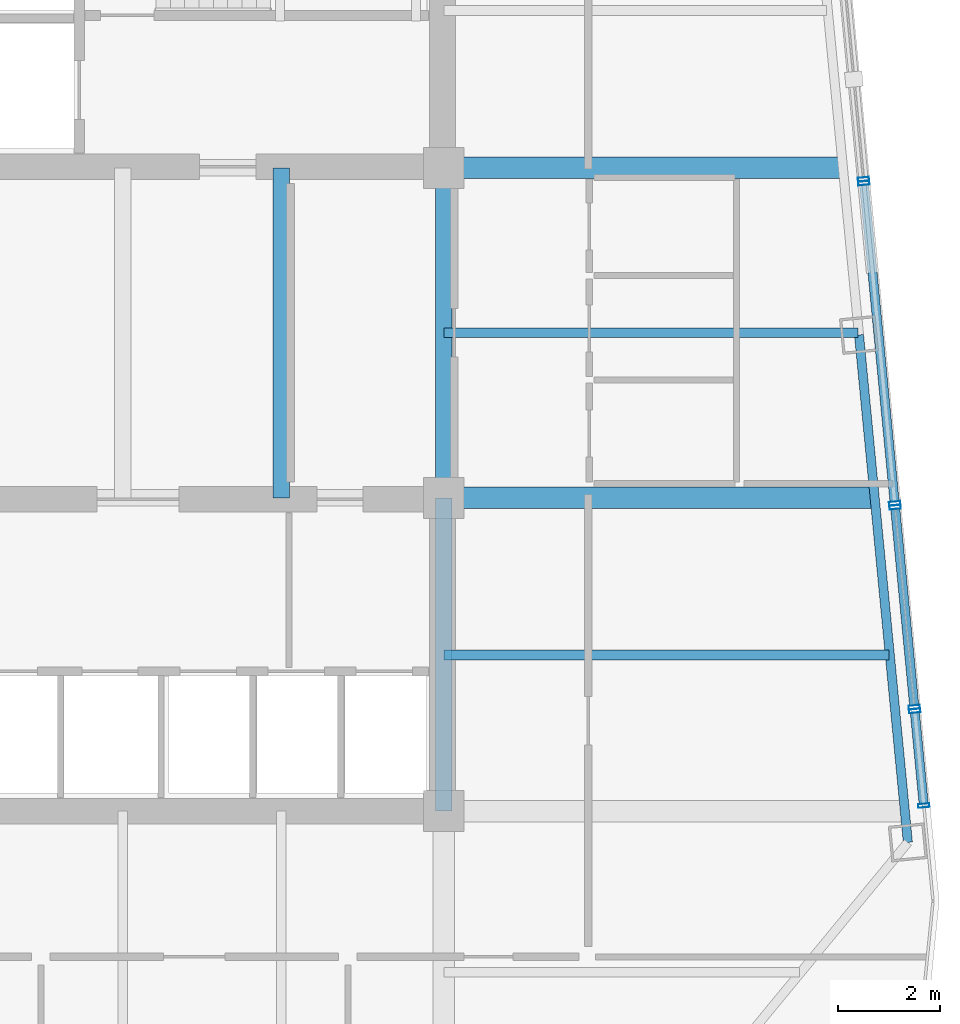
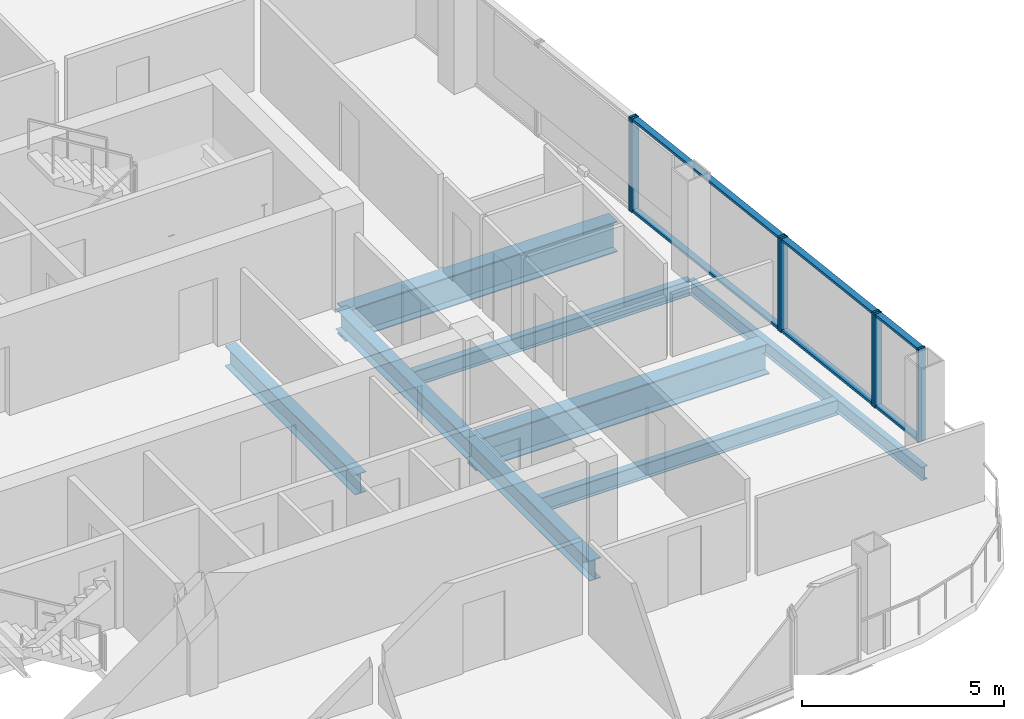
# One storey, part 10 of 22: 13 members, 8 beams, 4 elements without a shape of their own.
"""IFC4 building model written with IfcOpenShell, lengths in metres."""

from ifc_helpers import new_model, si_unit, direction, frame, origin, origin_2d, place, context, subcontext, project, spatial, hollow_rectangle, i_section, extrude, material, layer, layer_set, material_profile, profile_set, type_object, element, aggregate, save


model = new_model("IFC4")

# Units and contexts
model_context = context("Model", 3, precision=1e-05, world=origin(), true_north=direction((0.0, 1.0)))
body_context = subcontext(model_context, "Body", "Model", "MODEL_VIEW")
ifc_project = project(units=[si_unit("LENGTHUNIT", "METRE"), si_unit("AREAUNIT", "SQUARE_METRE"), si_unit("VOLUMEUNIT", "CUBIC_METRE"), si_unit("PLANEANGLEUNIT", "RADIAN"), si_unit("MASSUNIT", "GRAM", prefix="KILO")], contexts=[model_context])

# Site, building, storey
site_placement = place(None, origin())
site = spatial("IfcSite", under=ifc_project, at=site_placement, CompositionType="ELEMENT")
building_placement = place(site_placement, origin())
building = spatial("IfcBuilding", under=site, at=building_placement, Name="Qhalaya Broadcast Tower", CompositionType="ELEMENT")
storey_placement = place(building_placement, frame((0.0, 0.0, 174.449951171875)))
storey = spatial("IfcBuildingStorey", under=building, at=storey_placement, Name="L51", CompositionType="ELEMENT", Elevation=174.449951171875)

# Beams
ifc_material_1 = material(Name="Structural Steel ASTM A992 Grade 50", Category="steel")
ifc_material_profile_1 = material_profile(ifc_material_1, i_section(OverallWidth=0.19189453125, OverallDepth=0.462890625, WebThickness=0.010498046875, FlangeThickness=0.017578125, at=origin_2d()), Name="W18X60")
ifc_profile_set_1 = profile_set([ifc_material_profile_1], Name="Structural Steel ASTM A992 Grade 50")
beam_type_1 = type_object("IfcBeamType", Name="Composite Floor Joist J03", PredefinedType="JOIST", material=ifc_profile_set_1)
beam_1_placement = place(storey_placement, frame((9.375, -5.699951171875, -0.451416015625), z_axis=(1.0, 0.0, 0.0), x_axis=(0.0, 1.0, 0.0)))
element("IfcBeam", 1, at=beam_1_placement, inside=storey, type_object=beam_type_1, Name="L51 J03 L51-JWE3E-1", PredefinedType="JOIST", context=body_context, shape_type="SweptSolid", body=[
    extrude(i_section(OverallWidth=0.19189453125, OverallDepth=0.462890625, WebThickness=0.010498046875, FlangeThickness=0.017578125, at=origin_2d()), origin(), (0.0, 0.0, 1.0), 8.7001953125),
])
beam_2_placement = place(storey_placement, frame((9.375, 0.60009765625, -0.451416015625), z_axis=(1.0, 0.0, 0.0), x_axis=(0.0, 1.0, 0.0)))
element("IfcBeam", 2, at=beam_2_placement, inside=storey, type_object=beam_type_1, Name="L51 J03 L51-JWE4E-1", PredefinedType="JOIST", context=body_context, shape_type="SweptSolid", body=[
    extrude(i_section(OverallWidth=0.19189453125, OverallDepth=0.462890625, WebThickness=0.010498046875, FlangeThickness=0.017578125, at=origin_2d()), origin(), (0.0, 0.0, 1.0), 8.093505859375),
])
ifc_material_profile_2 = material_profile(ifc_material_1, i_section(OverallWidth=0.323974609375, OverallDepth=0.612060546875, WebThickness=0.0126953125, FlangeThickness=0.01904296875, at=origin_2d()), Name="W24X104")
ifc_profile_set_2 = profile_set([ifc_material_profile_2], Name="Structural Steel ASTM A992 Grade 50")
beam_type_2 = type_object("IfcBeamType", Name="Core Frame Tie Beam B04", PredefinedType="BEAM", material=ifc_profile_set_2)
beam_3_placement = place(storey_placement, frame((9.375, -8.75, -0.52587890625), z_axis=(0.0, 1.0, 0.0), x_axis=(-1.0, 0.0, 0.0)))
element("IfcBeam", 3, at=beam_3_placement, inside=storey, type_object=beam_type_2, Name="L51 B04 L51-CCS2", PredefinedType="BEAM", context=body_context, shape_type="SweptSolid", body=[
    extrude(i_section(OverallWidth=0.323974609375, OverallDepth=0.612060546875, WebThickness=0.0126953125, FlangeThickness=0.01904296875, at=origin_2d()), origin(), (0.0, 0.0, 1.0), 6.125),
])
for number, where, z_axis, x_axis, name in (
    (4, (9.375, -2.625, -0.52587890625), (0.0, 1.0, 0.0), (-1.0, 0.0, 0.0), "L51 B04 L51-CCE"),
    (5, (6.199951171875, -2.625, -0.52587890625), (0.0, 1.0, 0.0), (-1.0, 0.0, 0.0), "L51 B04 L51-JC5-1"),
):
    element("IfcBeam", number, at=place(storey_placement, frame(where, z_axis=z_axis, x_axis=x_axis)), inside=storey, type_object=beam_type_2, Name=name, PredefinedType="BEAM", context=body_context, shape_type="SweptSolid", body=[
        extrude(i_section(OverallWidth=0.323974609375, OverallDepth=0.612060546875, WebThickness=0.0126953125, FlangeThickness=0.01904296875, at=origin_2d()), origin(), (0.0, 0.0, 1.0), 6.449951171875),
    ])
ifc_material_profile_3 = material_profile(ifc_material_1, i_section(OverallWidth=0.4189453125, OverallDepth=0.927001953125, WebThickness=0.019287109375, FlangeThickness=0.031982421875, at=origin_2d()), Name="W36X231")
ifc_profile_set_3 = profile_set([ifc_material_profile_3], Name="Structural Steel ASTM A992 Grade 50")
beam_type_3 = type_object("IfcBeamType", Name="Mid Block Primary Girder PG3", PredefinedType="USERDEFINED", material=ifc_profile_set_3)
beam_4_placement = place(storey_placement, frame((9.375, -2.625, -0.683349609375), z_axis=(1.0, 0.0, 0.0), x_axis=(0.0, 1.0, 0.0)))
element("IfcBeam", 6, at=beam_4_placement, inside=storey, type_object=beam_type_3, Name="L51 PG3 L51-PGYE2-1", ObjectType="GIRDER", PredefinedType="USERDEFINED", context=body_context, shape_type="SweptSolid", body=[
    extrude(i_section(OverallWidth=0.4189453125, OverallDepth=0.927001953125, WebThickness=0.019287109375, FlangeThickness=0.031982421875, at=origin_2d()), origin(), (0.0, 0.0, 1.0), 8.404052734375),
])
beam_5_placement = place(storey_placement, frame((9.375, 3.824951171875, -0.683349609375), z_axis=(1.0, 0.0, 0.0), x_axis=(0.0, 1.0, 0.0)))
element("IfcBeam", 7, at=beam_5_placement, inside=storey, type_object=beam_type_3, Name="L51 PG3 L51-PGYE3-1", ObjectType="GIRDER", PredefinedType="USERDEFINED", context=body_context, shape_type="SweptSolid", body=[
    extrude(i_section(OverallWidth=0.4189453125, OverallDepth=0.927001953125, WebThickness=0.019287109375, FlangeThickness=0.031982421875, at=origin_2d()), origin(), (0.0, 0.0, 1.0), 7.782958984375),
])

# Curtain wall, members
ifc_material_2 = material(Name="Fired Architectural Terracotta", Category="masonry")
ifc_layer_1 = layer(ifc_material_2, 0.219970703125, Name="Fired Architectural Terracotta")
ifc_layer_set_1 = layer_set([ifc_layer_1], Name="Fired Architectural Terracotta")
curtain_wall_type_1 = type_object("IfcCurtainWallType", Name="Block-Cap Unitised Terracotta Spandrel Wall CW-07", PredefinedType="NOTDEFINED", material=ifc_layer_set_1)
curtain_wall_1_placement = place(storey_placement, origin())
curtain_wall_1 = element("IfcCurtainWall", 8, at=curtain_wall_1_placement, inside=storey, type_object=curtain_wall_type_1, Name="L51 Unitised Curtain Wall L51-CW-E1", PredefinedType="NOTDEFINED")
ifc_material_3 = material(Name="Anodised Aluminium 6063-T6", Category="aluminium")
ifc_material_profile_4 = material_profile(ifc_material_3, hollow_rectangle(XDim=0.074951171875, YDim=0.219970703125, WallThickness=0.00390625, at=origin_2d()), Name="ALU-MUL 75x220x4")
ifc_profile_set_4 = profile_set([ifc_material_profile_4], Name="Anodised Aluminium 6063-T6")
member_type_1 = type_object("IfcMemberType", Name="Unitised Curtain-Wall Mullion M01", PredefinedType="MULLION", material=ifc_profile_set_4)
member_1_placement = place(storey_placement, frame((18.76025390625, -8.64111328125, 0.0), z_axis=(0.0, 0.0, 1.0), x_axis=(-0.095861254071, 0.995394705616, 0.0)))
member_1 = element("IfcMember", 9, at=member_1_placement, type_object=member_type_1, Name="CW-07 mullion 1", PredefinedType="MULLION", context=body_context, shape_type="SweptSolid", body=[
    extrude(hollow_rectangle(XDim=0.074951171875, YDim=0.219970703125, WallThickness=0.00390625, at=origin_2d()), origin(), (0.0, 0.0, 1.0), 2.830078125),
])
member_2_placement = place(storey_placement, frame((18.58203125, -6.791748046875, 0.0), z_axis=(0.0, 0.0, 1.0), x_axis=(-0.095861254071, 0.995394705616, 0.0)))
member_2 = element("IfcMember", 10, at=member_2_placement, type_object=member_type_1, Name="CW-07 mullion 2", PredefinedType="MULLION", context=body_context, shape_type="SweptSolid", body=[
    extrude(hollow_rectangle(XDim=0.074951171875, YDim=0.219970703125, WallThickness=0.00390625, at=origin_2d()), origin(), (0.0, 0.0, 1.0), 2.830078125),
])

ifc_material_4 = material(Name="Solar-Control Low-E Triple Glazing", Category="glass")
ifc_layer_2 = layer(ifc_material_4, 0.219970703125, Name="Solar-Control Low-E Triple Glazing")
ifc_layer_set_2 = layer_set([ifc_layer_2], Name="Solar-Control Low-E Triple Glazing")
curtain_wall_type_2 = type_object("IfcCurtainWallType", Name="Even-Block 4-Storey Double-Module Curtain Wall CW-03", PredefinedType="NOTDEFINED", material=ifc_layer_set_2)
curtain_wall_2_placement = place(storey_placement, origin())
curtain_wall_2 = element("IfcCurtainWall", 11, at=curtain_wall_2_placement, inside=storey, type_object=curtain_wall_type_2, Name="L51 Unitised Curtain Wall L51-CW-E2", PredefinedType="NOTDEFINED")
member_3_placement = place(storey_placement, frame((18.574951171875, -6.717041015625, 0.0), z_axis=(0.0, 0.0, 1.0), x_axis=(-0.095850516284, 0.995395739657, 0.0)))
member_3 = element("IfcMember", 12, at=member_3_placement, type_object=member_type_1, Name="CW-03 mullion 1", PredefinedType="MULLION", context=body_context, shape_type="SweptSolid", body=[
    extrude(hollow_rectangle(XDim=0.074951171875, YDim=0.219970703125, WallThickness=0.00390625, at=origin_2d()), origin(), (0.0, 0.0, 1.0), 2.830078125),
])
member_4_placement = place(storey_placement, frame((18.198486328125, -2.80908203125, 0.0), z_axis=(0.0, 0.0, 1.0), x_axis=(-0.095850516284, 0.995395739657, 0.0)))
member_4 = element("IfcMember", 13, at=member_4_placement, type_object=member_type_1, Name="CW-03 mullion 2", PredefinedType="MULLION", context=body_context, shape_type="SweptSolid", body=[
    extrude(hollow_rectangle(XDim=0.074951171875, YDim=0.219970703125, WallThickness=0.00390625, at=origin_2d()), origin(), (0.0, 0.0, 1.0), 2.830078125),
])

curtain_wall_3_placement = place(storey_placement, origin())
curtain_wall_3 = element("IfcCurtainWall", 14, at=curtain_wall_3_placement, inside=storey, type_object=curtain_wall_type_1, Name="L51 Unitised Curtain Wall L51-CW-E3", PredefinedType="NOTDEFINED")
member_5_placement = place(storey_placement, frame((18.19140625, -2.734375, 0.0), z_axis=(0.0, 0.0, 1.0), x_axis=(-0.095836642528, 0.995397075518, 0.0)))
member_5 = element("IfcMember", 15, at=member_5_placement, type_object=member_type_1, Name="CW-07 mullion 1", PredefinedType="MULLION", context=body_context, shape_type="SweptSolid", body=[
    extrude(hollow_rectangle(XDim=0.074951171875, YDim=0.219970703125, WallThickness=0.00390625, at=origin_2d()), origin(), (0.0, 0.0, 1.0), 2.830078125),
])
member_6_placement = place(storey_placement, frame((17.588623046875, 3.526611328125, 0.0), z_axis=(0.0, 0.0, 1.0), x_axis=(-0.095836642528, 0.995397075518, 0.0)))
member_6 = element("IfcMember", 16, at=member_6_placement, type_object=member_type_1, Name="CW-07 mullion 2", PredefinedType="MULLION", context=body_context, shape_type="SweptSolid", body=[
    extrude(hollow_rectangle(XDim=0.074951171875, YDim=0.219970703125, WallThickness=0.00390625, at=origin_2d()), origin(), (0.0, 0.0, 1.0), 2.830078125),
])

# Curtain wall, member
curtain_wall_4_placement = place(storey_placement, origin())
curtain_wall_4 = element("IfcCurtainWall", 17, at=curtain_wall_4_placement, inside=storey, type_object=curtain_wall_type_2, Name="L51 Unitised Curtain Wall L51-CW-E4", PredefinedType="NOTDEFINED")
member_7_placement = place(storey_placement, frame((17.581298828125, 3.601318359375, 0.0), z_axis=(0.0, 0.0, 1.0), x_axis=(-0.095851433835, 0.995395651302, 0.0)))
member_7 = element("IfcMember", 18, at=member_7_placement, type_object=member_type_1, Name="CW-03 mullion 1", PredefinedType="MULLION", context=body_context, shape_type="SweptSolid", body=[
    extrude(hollow_rectangle(XDim=0.074951171875, YDim=0.219970703125, WallThickness=0.00390625, at=origin_2d()), origin(), (0.0, 0.0, 1.0), 2.830078125),
])
aggregate(curtain_wall_4, [member_7])

# Member
ifc_material_profile_5 = material_profile(ifc_material_3, hollow_rectangle(XDim=0.074951171875, YDim=0.179931640625, WallThickness=0.00390625, at=origin_2d()), Name="ALU-TRN 75x180x4")
ifc_profile_set_5 = profile_set([ifc_material_profile_5], Name="Anodised Aluminium 6063-T6")
member_type_2 = type_object("IfcMemberType", Name="Unitised Curtain-Wall Transom T01", PredefinedType="USERDEFINED", material=ifc_profile_set_5)
member_8_placement = place(storey_placement, frame((18.756591796875, -8.603759765625, 0.03759765625), z_axis=(-0.095855916051, 0.995395219678, 0.0), x_axis=(0.0, 0.0, 1.0)))
member_8 = element("IfcMember", 19, at=member_8_placement, type_object=member_type_2, Name="CW-07 transom 1.1", ObjectType="TRANSOM", PredefinedType="USERDEFINED", context=body_context, shape_type="SweptSolid", body=[
    extrude(hollow_rectangle(XDim=0.074951171875, YDim=0.179931640625, WallThickness=0.00390625, at=origin_2d()), origin(), (0.0, 0.0, 1.0), 1.782958984375),
])

member_9_placement = place(storey_placement, frame((18.756591796875, -8.603759765625, 2.79248046875), z_axis=(-0.095855916051, 0.995395219678, 0.0), x_axis=(0.0, 0.0, 1.0)))
member_9 = element("IfcMember", 20, at=member_9_placement, type_object=member_type_2, Name="CW-07 transom 1.2", ObjectType="TRANSOM", PredefinedType="USERDEFINED", context=body_context, shape_type="SweptSolid", body=[
    extrude(hollow_rectangle(XDim=0.074951171875, YDim=0.179931640625, WallThickness=0.00390625, at=origin_2d()), origin(), (0.0, 0.0, 1.0), 1.782958984375),
])

aggregate(curtain_wall_1, [member_1, member_2, member_8, member_9])

member_10_placement = place(storey_placement, frame((18.5712890625, -6.6796875, 0.03759765625), z_axis=(-0.09585615801, 0.995395196378, 0.0), x_axis=(0.0, 0.0, 1.0)))
member_10 = element("IfcMember", 21, at=member_10_placement, type_object=member_type_2, Name="CW-03 transom 1.1", ObjectType="TRANSOM", PredefinedType="USERDEFINED", context=body_context, shape_type="SweptSolid", body=[
    extrude(hollow_rectangle(XDim=0.074951171875, YDim=0.179931640625, WallThickness=0.00390625, at=origin_2d()), origin(), (0.0, 0.0, 1.0), 3.85107421875),
])

member_11_placement = place(storey_placement, frame((18.5712890625, -6.6796875, 2.79248046875), z_axis=(-0.09585615801, 0.995395196378, 0.0), x_axis=(0.0, 0.0, 1.0)))
member_11 = element("IfcMember", 22, at=member_11_placement, type_object=member_type_2, Name="CW-03 transom 1.2", ObjectType="TRANSOM", PredefinedType="USERDEFINED", context=body_context, shape_type="SweptSolid", body=[
    extrude(hollow_rectangle(XDim=0.074951171875, YDim=0.179931640625, WallThickness=0.00390625, at=origin_2d()), origin(), (0.0, 0.0, 1.0), 3.85107421875),
])

aggregate(curtain_wall_2, [member_3, member_4, member_10, member_11])

member_12_placement = place(storey_placement, frame((18.187744140625, -2.697265625, 0.03759765625), z_axis=(-0.095808213969, 0.995399812204, 0.0), x_axis=(0.0, 0.0, 1.0)))
member_12 = element("IfcMember", 23, at=member_12_placement, type_object=member_type_2, Name="CW-07 transom 1.1", ObjectType="TRANSOM", PredefinedType="USERDEFINED", context=body_context, shape_type="SweptSolid", body=[
    extrude(hollow_rectangle(XDim=0.074951171875, YDim=0.179931640625, WallThickness=0.00390625, at=origin_2d()), origin(), (0.0, 0.0, 1.0), 6.215087890625),
])

member_13_placement = place(storey_placement, frame((18.187744140625, -2.697265625, 2.79248046875), z_axis=(-0.095808213969, 0.995399812204, 0.0), x_axis=(0.0, 0.0, 1.0)))
member_13 = element("IfcMember", 24, at=member_13_placement, type_object=member_type_2, Name="CW-07 transom 1.2", ObjectType="TRANSOM", PredefinedType="USERDEFINED", context=body_context, shape_type="SweptSolid", body=[
    extrude(hollow_rectangle(XDim=0.074951171875, YDim=0.179931640625, WallThickness=0.00390625, at=origin_2d()), origin(), (0.0, 0.0, 1.0), 6.215087890625),
])

aggregate(curtain_wall_3, [member_5, member_6, member_12, member_13])

# Beam
ifc_material_profile_6 = material_profile(ifc_material_1, i_section(OverallWidth=0.177978515625, OverallDepth=0.406005859375, WebThickness=0.0078125, FlangeThickness=0.0126953125, at=origin_2d()), Name="W16X40")
ifc_profile_set_6 = profile_set([ifc_material_profile_6], Name="Structural Steel ASTM A992 Grade 50")
beam_type_4 = type_object("IfcBeamType", Name="Upper Perimeter Spandrel Beam SP2", PredefinedType="SPANDREL", material=ifc_profile_set_6)
beam_6_placement = place(storey_placement, frame((18.44775390625, -9.362060546875, -0.4228515625), z_axis=(-0.095826293365, 0.995398071879, 0.0), x_axis=(-0.995398071879, -0.095826293365, 0.0)))
element("IfcBeam", 25, at=beam_6_placement, inside=storey, type_object=beam_type_4, Name="L51 SP2 L51-SPR-05", PredefinedType="SPANDREL", context=body_context, shape_type="SweptSolid", body=[
    extrude(i_section(OverallWidth=0.177978515625, OverallDepth=0.406005859375, WebThickness=0.0078125, FlangeThickness=0.0126953125, at=origin_2d()), origin(), (0.0, 0.0, 1.0), 9.966796875),
])

save(model, "model.ifc")
